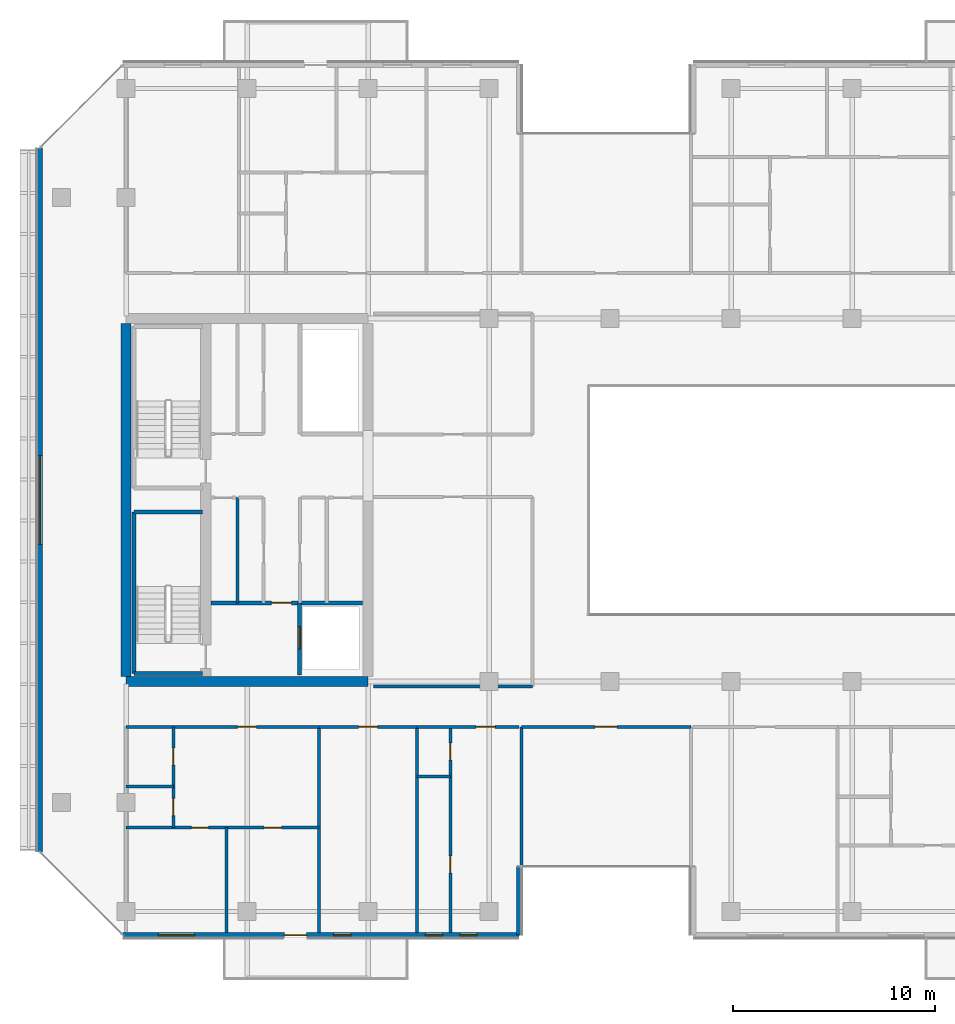
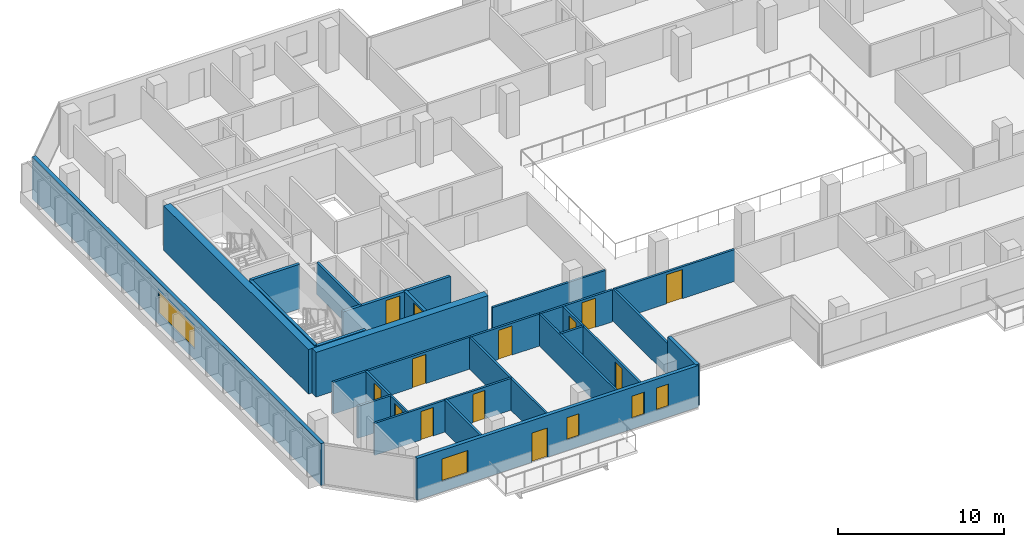
# One storey, part 19 of 29: 25 walls, 13 doors, 5 windows, 18 openings.
"""IFC4 building model written with IfcOpenShell, lengths in metres."""

from ifc_helpers import new_model, si_unit, direction, frame, frame_2d, origin, place, context, subcontext, project, spatial, rectangle, extrude, material, layer, layer_set, type_object, element, fill, save


model = new_model("IFC4")

# Units and contexts
model_context = context("Model", 3, precision=1e-05, world=origin(), true_north=direction((0.0, 1.0)))
body_context = subcontext(model_context, "Body", "Model", "MODEL_VIEW")
ifc_project = project(units=[si_unit("LENGTHUNIT", "METRE"), si_unit("AREAUNIT", "SQUARE_METRE"), si_unit("VOLUMEUNIT", "CUBIC_METRE"), si_unit("PLANEANGLEUNIT", "RADIAN"), si_unit("MASSUNIT", "GRAM", prefix="KILO")], contexts=[model_context])

# Site, building, storey
site_placement = place(None, origin())
site = spatial("IfcSite", under=ifc_project, at=site_placement, CompositionType="ELEMENT")
building_placement = place(site_placement, origin())
building = spatial("IfcBuilding", under=site, at=building_placement, Name="Tanjung Sevakor Pilgrim Tower", CompositionType="ELEMENT")
storey_placement = place(building_placement, frame((0.0, 0.0, 148.5)))
storey = spatial("IfcBuildingStorey", under=building, at=storey_placement, Name="L41", CompositionType="ELEMENT", Elevation=148.5)

# Walls
ifc_material_1 = material(Name="Concrete C60/75", Category="concrete")
ifc_layer_1 = layer(ifc_material_1, 0.5)
ifc_layer_set_1 = layer_set([ifc_layer_1], Name="WALL-CW-500")
wall_type_1 = type_object("IfcWallType", Name="WALL-CW-500", PredefinedType="SHEAR", material=ifc_layer_set_1)
wall_1_placement = place(storey_placement, frame((24.0, 24.60009765625, 0.0), z_axis=(0.0, 0.0, 1.0), x_axis=(1.0, 0.0, 0.0)))
element("IfcWall", 1, at=wall_1_placement, inside=storey, type_object=wall_type_1, Name="L41 W Core South Shear Wall", PredefinedType="SHEAR", context=body_context, shape_type="SweptSolid", body=[
    extrude(rectangle(XDim=12.0, YDim=0.5, at=frame_2d((6.0, 0.0))), origin(), (0.0, 0.0, 1.0), 3.300048828125),
])
wall_2_placement = place(storey_placement, frame((24.0, 24.85009765625, 0.0), z_axis=(0.0, 0.0, 1.0), x_axis=(0.0, 1.0, 0.0)))
element("IfcWall", 2, at=wall_2_placement, inside=storey, type_object=wall_type_1, Name="L41 W Core Outer Shear Wall", PredefinedType="SHEAR", context=body_context, shape_type="SweptSolid", body=[
    extrude(rectangle(XDim=17.5, YDim=0.5, at=frame_2d((8.75, 0.0))), origin(), (0.0, 0.0, 1.0), 3.300048828125),
])
ifc_material_2 = material(Name="Concrete C40/50", Category="concrete")
ifc_layer_2 = layer(ifc_material_2, 0.14990234375)
ifc_layer_set_2 = layer_set([ifc_layer_2], Name="WT-COMP-150")
wall_type_2 = type_object("IfcWallType", Name="WT-COMP-150", PredefinedType="SOLIDWALL", material=ifc_layer_set_2)
wall_3_placement = place(storey_placement, frame((29.52001953125, 28.5, 0.0), z_axis=(0.0, 0.0, 1.0), x_axis=(0.0, 1.0, 0.0)))
element("IfcWall", 3, at=wall_3_placement, inside=storey, type_object=wall_type_2, Name="L41 Partition IW-L41-003", PredefinedType="SOLIDWALL", context=body_context, shape_type="SweptSolid", body=[
    extrude(rectangle(XDim=5.219970703125, YDim=0.14990234375, at=frame_2d((2.60986328125, 0.0))), origin(), (0.0, 0.0, 1.0), 2.35009765625),
])
wall_4_placement = place(storey_placement, frame((36.27001953125, 24.35009765625, 0.0), z_axis=(0.0, 0.0, 1.0), x_axis=(1.0, 0.0, 0.0)))
element("IfcWall", 4, at=wall_4_placement, inside=storey, type_object=wall_type_2, Name="L41 Partition IW-L41-033", PredefinedType="SOLIDWALL", context=body_context, shape_type="SweptSolid", body=[
    extrude(rectangle(XDim=7.8798828125, YDim=0.14990234375, at=frame_2d((3.93994140625, 0.0))), origin(), (0.0, 0.0, 1.0), 2.35009765625),
])

# Wall, opening, door
wall_5_placement = place(storey_placement, frame((43.60009765625, 22.35009765625, 0.0), z_axis=(0.0, 0.0, 1.0), x_axis=(1.0, 0.0, 0.0)))
wall_5 = element("IfcWall", 5, at=wall_5_placement, inside=storey, type_object=wall_type_2, Name="L41 Partition IW-L41-045", PredefinedType="SOLIDWALL", context=body_context, shape_type="SweptSolid", body=[
    extrude(rectangle(XDim=8.39990234375, YDim=0.14990234375, at=frame_2d((4.199951171875, 0.0))), origin(), (0.0, 0.0, 1.0), 2.35009765625),
])
opening_1_placement = place(wall_5_placement, frame((3.64990234375, 0.0, 0.0)))
opening_1 = element("IfcOpeningElement", 6, at=opening_1_placement, cuts=wall_5, Name="Opening ID-RM2", PredefinedType="OPENING", context=body_context, shape_type="SweptSolid", body=[
    extrude(rectangle(XDim=1.10009765625, YDim=2.14990234375, at=frame_2d((0.550048828125, 1.074951171875))), frame((0.0, 0.0849609375, 0.0), z_axis=(0.0, -1.0, 0.0), x_axis=(1.0, 0.0, 0.0)), (0.0, 0.0, 1.0), 0.169921875),
])
ifc_material_3 = material(Name="Hardwood Timber", Category="wood")
door_type_1 = type_object("IfcDoorType", Name="DT-INT-1100", OperationType="NOTDEFINED", PredefinedType="DOOR", material=ifc_material_3)
door_1_placement = place(opening_1_placement, origin())
door_1 = element("IfcDoor", 7, at=door_1_placement, inside=storey, type_object=door_type_1, Name="L41 South Cleft Observatory Door", OperationType="SINGLE_SWING_RIGHT", OverallHeight=2.14990234375, OverallWidth=1.10009765625, PredefinedType="DOOR", context=body_context, shape_type="SweptSolid", body=[
    extrude(rectangle(XDim=1.10009765625, YDim=2.14990234375, at=frame_2d((0.550048828125, 1.074951171875))), frame((0.0, 0.02490234375, 0.0), z_axis=(0.0, -1.0, 0.0), x_axis=(1.0, 0.0, 0.0)), (0.0, 0.0, 1.0), 0.050048828125),
])
fill(opening_1, door_1)

# Walls
for number, where, z_axis, x_axis, name in (
    (8, (43.60009765625, 12.14990234375, 0.0), (0.0, 0.0, 1.0), (0.0, 1.0, 0.0), "L41 Partition IW-L41-046"),
    (9, (33.566162109375, 12.14990234375, 0.0), (0.0, 0.0, 1.0), (0.0, 1.0, 0.0), "L41 Partition IW-L41-052"),
):
    element("IfcWall", number, at=place(storey_placement, frame(where, z_axis=z_axis, x_axis=x_axis)), inside=storey, type_object=wall_type_2, Name=name, PredefinedType="SOLIDWALL", context=body_context, shape_type="SweptSolid", body=[
        extrude(rectangle(XDim=10.2001953125, YDim=0.14990234375, at=frame_2d((5.10009765625, 0.0))), origin(), (0.0, 0.0, 1.0), 2.35009765625),
    ])

# Wall, opening, door
wall_6_placement = place(storey_placement, frame((24.0, 22.35009765625, 0.0), z_axis=(0.0, 0.0, 1.0), x_axis=(1.0, 0.0, 0.0)))
wall_6 = element("IfcWall", 10, at=wall_6_placement, inside=storey, type_object=wall_type_2, Name="L41 Partition IW-L41-057", PredefinedType="SOLIDWALL", context=body_context, shape_type="SweptSolid", body=[
    extrude(rectangle(XDim=9.566162109375, YDim=0.14990234375, at=frame_2d((4.783203125, 0.0))), origin(), (0.0, 0.0, 1.0), 2.35009765625),
])
opening_2_placement = place(wall_6_placement, frame((5.523193359375, 0.0, 0.0)))
opening_2 = element("IfcOpeningElement", 11, at=opening_2_placement, cuts=wall_6, Name="Opening ID-FD2", PredefinedType="OPENING", context=body_context, shape_type="SweptSolid", body=[
    extrude(rectangle(XDim=0.949951171875, YDim=2.14990234375, at=frame_2d((0.47509765625, 1.074951171875))), frame((0.0, 0.0849609375, 0.0), z_axis=(0.0, -1.0, 0.0), x_axis=(1.0, 0.0, 0.0)), (0.0, 0.0, 1.0), 0.169921875),
])
ifc_material_4 = material(Name="Fire-Rated Timber", Category="wood")
door_type_2 = type_object("IfcDoorType", Name="DT-FIRE-950", OperationType="NOTDEFINED", PredefinedType="DOOR", material=ifc_material_4)
door_2_placement = place(opening_2_placement, origin())
door_2 = element("IfcDoor", 12, at=door_2_placement, inside=storey, type_object=door_type_2, Name="Suite Entrance", OperationType="SINGLE_SWING_RIGHT", OverallHeight=2.14990234375, OverallWidth=0.949951171875, PredefinedType="DOOR", context=body_context, shape_type="SweptSolid", body=[
    extrude(rectangle(XDim=0.949951171875, YDim=2.14990234375, at=frame_2d((0.47509765625, 1.074951171875))), frame((0.0, 0.02490234375, 0.0), z_axis=(0.0, -1.0, 0.0), x_axis=(1.0, 0.0, 0.0)), (0.0, 0.0, 1.0), 0.050048828125),
])
fill(opening_2, door_2)

# Wall
wall_7_placement = place(storey_placement, frame((38.43603515625, 12.14990234375, 0.0), z_axis=(0.0, 0.0, 1.0), x_axis=(0.0, 1.0, 0.0)))
element("IfcWall", 13, at=wall_7_placement, inside=storey, type_object=wall_type_2, Name="L41 Partition IW-L41-058", PredefinedType="SOLIDWALL", context=body_context, shape_type="SweptSolid", body=[
    extrude(rectangle(XDim=10.2001953125, YDim=0.14990234375, at=frame_2d((5.10009765625, 0.0))), origin(), (0.0, 0.0, 1.0), 2.35009765625),
])

# Wall, opening, door
wall_8_placement = place(storey_placement, frame((33.566162109375, 22.35009765625, 0.0), z_axis=(0.0, 0.0, 1.0), x_axis=(1.0, 0.0, 0.0)))
wall_8 = element("IfcWall", 14, at=wall_8_placement, inside=storey, type_object=wall_type_2, Name="L41 Partition IW-L41-059", PredefinedType="SOLIDWALL", context=body_context, shape_type="SweptSolid", body=[
    extrude(rectangle(XDim=4.869873046875, YDim=0.14990234375, at=frame_2d((2.43505859375, 0.0))), origin(), (0.0, 0.0, 1.0), 2.35009765625),
])
opening_3_placement = place(wall_8_placement, frame((1.9599609375, 0.0, 0.0)))
opening_3 = element("IfcOpeningElement", 15, at=opening_3_placement, cuts=wall_8, Name="Opening ID-FD2", PredefinedType="OPENING", context=body_context, shape_type="SweptSolid", body=[
    extrude(rectangle(XDim=0.949951171875, YDim=2.14990234375, at=frame_2d((0.47509765625, 1.074951171875))), frame((0.0, 0.0849609375, 0.0), z_axis=(0.0, -1.0, 0.0), x_axis=(1.0, 0.0, 0.0)), (0.0, 0.0, 1.0), 0.169921875),
])
door_3_placement = place(opening_3_placement, origin())
door_3 = element("IfcDoor", 16, at=door_3_placement, inside=storey, type_object=door_type_2, Name="Study Room Entrance", OperationType="SINGLE_SWING_LEFT", OverallHeight=2.14990234375, OverallWidth=0.949951171875, PredefinedType="DOOR", context=body_context, shape_type="SweptSolid", body=[
    extrude(rectangle(XDim=0.949951171875, YDim=2.14990234375, at=frame_2d((0.47509765625, 1.074951171875))), frame((0.0, 0.02490234375, 0.0), z_axis=(0.0, -1.0, 0.0), x_axis=(1.0, 0.0, 0.0)), (0.0, 0.0, 1.0), 0.050048828125),
])
fill(opening_3, door_3)

wall_9_placement = place(storey_placement, frame((38.43603515625, 22.35009765625, 0.0), z_axis=(0.0, 0.0, 1.0), x_axis=(1.0, 0.0, 0.0)))
wall_9 = element("IfcWall", 17, at=wall_9_placement, inside=storey, type_object=wall_type_2, Name="L41 Partition IW-L41-062", PredefinedType="SOLIDWALL", context=body_context, shape_type="SweptSolid", body=[
    extrude(rectangle(XDim=5.0439453125, YDim=0.14990234375, at=frame_2d((2.52197265625, 0.0))), origin(), (0.0, 0.0, 1.0), 2.35009765625),
])
opening_4_placement = place(wall_9_placement, frame((2.908935546875, 0.0, 0.0)))
opening_4 = element("IfcOpeningElement", 18, at=opening_4_placement, cuts=wall_9, Name="Opening ID-FD2", PredefinedType="OPENING", context=body_context, shape_type="SweptSolid", body=[
    extrude(rectangle(XDim=0.949951171875, YDim=2.14990234375, at=frame_2d((0.47509765625, 1.074951171875))), frame((0.0, 0.0849609375, 0.0), z_axis=(0.0, -1.0, 0.0), x_axis=(1.0, 0.0, 0.0)), (0.0, 0.0, 1.0), 0.169921875),
])
door_4_placement = place(opening_4_placement, origin())
door_4 = element("IfcDoor", 19, at=door_4_placement, inside=storey, type_object=door_type_2, Name="Hostel Quad Entrance", OperationType="SINGLE_SWING_RIGHT", OverallHeight=2.14990234375, OverallWidth=0.949951171875, PredefinedType="DOOR", context=body_context, shape_type="SweptSolid", body=[
    extrude(rectangle(XDim=0.949951171875, YDim=2.14990234375, at=frame_2d((0.47509765625, 1.074951171875))), frame((0.0, 0.02490234375, 0.0), z_axis=(0.0, -1.0, 0.0), x_axis=(1.0, 0.0, 0.0)), (0.0, 0.0, 1.0), 0.050048828125),
])
fill(opening_4, door_4)

# Wall, openings, door, windows
ifc_material_5 = material(Name="Precast concrete C45/55", Category="concrete")
ifc_layer_3 = layer(ifc_material_5, 0.25)
ifc_layer_set_3 = layer_set([ifc_layer_3], Name="WT-EW-STN3")
wall_type_3 = type_object("IfcWallType", Name="WT-EW-STN3", PredefinedType="SOLIDWALL", material=ifc_layer_set_3)
wall_10_placement = place(storey_placement, frame((23.851806640625, 12.02490234375, 0.0), z_axis=(0.0, 0.0, 1.0), x_axis=(1.0, 0.0, 0.0)))
wall_10 = element("IfcWall", 20, at=wall_10_placement, inside=storey, type_object=wall_type_3, Name="L41 MAIN Exterior Wall 1", PredefinedType="SOLIDWALL", context=body_context, shape_type="SweptSolid", body=[
    extrude(rectangle(XDim=19.623291015625, YDim=0.25, at=frame_2d((9.8115234375, 0.0))), origin(), (0.0, 0.0, 1.0), 3.080078125),
])
opening_5_placement = place(wall_10_placement, frame((7.998291015625, 0.0, 0.0)))
opening_5 = element("IfcOpeningElement", 21, at=opening_5_placement, cuts=wall_10, Name="Opening ED-BAL-1100", PredefinedType="OPENING", context=body_context, shape_type="SweptSolid", body=[
    extrude(rectangle(XDim=1.10009765625, YDim=2.14990234375, at=frame_2d((0.550048828125, 1.074951171875))), frame((0.0, 0.135009765625, 0.0), z_axis=(0.0, -1.0, 0.0), x_axis=(1.0, 0.0, 0.0)), (0.0, 0.0, 1.0), 0.27001953125),
])
opening_6_placement = place(wall_10_placement, frame((1.745361328125, 0.0, 0.780029296875)))
opening_6 = element("IfcOpeningElement", 22, at=opening_6_placement, cuts=wall_10, Name="Opening WN-Z3-1660", PredefinedType="OPENING", context=body_context, shape_type="SweptSolid", body=[
    extrude(rectangle(XDim=1.800048828125, YDim=1.659912109375, at=frame_2d((0.89990234375, 0.830078125))), frame((0.0, 0.135009765625, 0.0), z_axis=(0.0, -1.0, 0.0), x_axis=(1.0, 0.0, 0.0)), (0.0, 0.0, 1.0), 0.27001953125),
])
opening_7_placement = place(wall_10_placement, frame((10.4443359375, 0.0, 0.780029296875)))
opening_7 = element("IfcOpeningElement", 23, at=opening_7_placement, cuts=wall_10, Name="Opening WN-SLM", PredefinedType="OPENING", context=body_context, shape_type="SweptSolid", body=[
    extrude(rectangle(XDim=0.85009765625, YDim=1.64990234375, at=frame_2d((0.425048828125, 0.824951171875))), frame((0.0, 0.135009765625, 0.0), z_axis=(0.0, -1.0, 0.0), x_axis=(1.0, 0.0, 0.0)), (0.0, 0.0, 1.0), 0.27001953125),
])
opening_8_placement = place(wall_10_placement, frame((14.9912109375, 0.0, 0.780029296875)))
opening_8 = element("IfcOpeningElement", 24, at=opening_8_placement, cuts=wall_10, Name="Opening WN-SLM", PredefinedType="OPENING", context=body_context, shape_type="SweptSolid", body=[
    extrude(rectangle(XDim=0.85009765625, YDim=1.64990234375, at=frame_2d((0.425048828125, 0.824951171875))), frame((0.0, 0.135009765625, 0.0), z_axis=(0.0, -1.0, 0.0), x_axis=(1.0, 0.0, 0.0)), (0.0, 0.0, 1.0), 0.27001953125),
])
opening_9_placement = place(wall_10_placement, frame((16.693115234375, 0.0, 0.780029296875)))
opening_9 = element("IfcOpeningElement", 25, at=opening_9_placement, cuts=wall_10, Name="Opening WN-SLM", PredefinedType="OPENING", context=body_context, shape_type="SweptSolid", body=[
    extrude(rectangle(XDim=0.85009765625, YDim=1.64990234375, at=frame_2d((0.425048828125, 0.824951171875))), frame((0.0, 0.135009765625, 0.0), z_axis=(0.0, -1.0, 0.0), x_axis=(1.0, 0.0, 0.0)), (0.0, 0.0, 1.0), 0.27001953125),
])
ifc_material_6 = material(Name="Anodised Aluminium and Laminated Glass", Category="aluminium")
door_type_3 = type_object("IfcDoorType", Name="DTYP-ED-BAL-1100", OperationType="NOTDEFINED", PredefinedType="DOOR", material=ifc_material_6)
door_5_placement = place(opening_5_placement, frame((1.10009765625, 0.0, 0.0), z_axis=(0.0, 0.0, 1.0), x_axis=(-1.0, 0.0, 0.0)))
door_5 = element("IfcDoor", 26, at=door_5_placement, inside=storey, type_object=door_type_3, Name="L41 Balcony Door MAIN-S1", OperationType="SINGLE_SWING_RIGHT", OverallHeight=2.14990234375, OverallWidth=1.10009765625, PredefinedType="DOOR", context=body_context, shape_type="SweptSolid", body=[
    extrude(rectangle(XDim=1.10009765625, YDim=2.14990234375, at=frame_2d((0.550048828125, 1.074951171875))), frame((0.0, 0.02490234375, 0.0), z_axis=(0.0, -1.0, 0.0), x_axis=(1.0, 0.0, 0.0)), (0.0, 0.0, 1.0), 0.050048828125),
])
fill(opening_5, door_5)
ifc_material_7 = material(Name="Thermally Broken Aluminium and Low-E Glass", Category="aluminium")
window_type_1 = type_object("IfcWindowType", Name="WTYP-WN-SLM", PartitioningType="SINGLE_PANEL", PredefinedType="WINDOW", material=ifc_material_7)
window_1_placement = place(opening_7_placement, origin())
window_1 = element("IfcWindow", 27, at=window_1_placement, inside=storey, type_object=window_type_1, Name="L41 Facade Window 02", OverallHeight=1.64990234375, OverallWidth=0.85009765625, PartitioningType="SINGLE_PANEL", PredefinedType="WINDOW", context=body_context, shape_type="SweptSolid", body=[
    extrude(rectangle(XDim=0.85009765625, YDim=1.64990234375, at=frame_2d((0.425048828125, 0.824951171875))), frame((0.0, 0.030029296875, 0.0), z_axis=(0.0, -1.0, 0.0), x_axis=(1.0, 0.0, 0.0)), (0.0, 0.0, 1.0), 0.06005859375),
])
fill(opening_7, window_1)
window_2_placement = place(opening_8_placement, origin())
window_2 = element("IfcWindow", 28, at=window_2_placement, inside=storey, type_object=window_type_1, Name="L41 Facade Window 03", OverallHeight=1.64990234375, OverallWidth=0.85009765625, PartitioningType="SINGLE_PANEL", PredefinedType="WINDOW", context=body_context, shape_type="SweptSolid", body=[
    extrude(rectangle(XDim=0.85009765625, YDim=1.64990234375, at=frame_2d((0.425048828125, 0.824951171875))), frame((0.0, 0.030029296875, 0.0), z_axis=(0.0, -1.0, 0.0), x_axis=(1.0, 0.0, 0.0)), (0.0, 0.0, 1.0), 0.06005859375),
])
fill(opening_8, window_2)
window_3_placement = place(opening_9_placement, origin())
window_3 = element("IfcWindow", 29, at=window_3_placement, inside=storey, type_object=window_type_1, Name="L41 Facade Window 04", OverallHeight=1.64990234375, OverallWidth=0.85009765625, PartitioningType="SINGLE_PANEL", PredefinedType="WINDOW", context=body_context, shape_type="SweptSolid", body=[
    extrude(rectangle(XDim=0.85009765625, YDim=1.64990234375, at=frame_2d((0.425048828125, 0.824951171875))), frame((0.0, 0.030029296875, 0.0), z_axis=(0.0, -1.0, 0.0), x_axis=(1.0, 0.0, 0.0)), (0.0, 0.0, 1.0), 0.06005859375),
])
fill(opening_9, window_3)
ifc_material_8 = material(Name="Thermally Broken Aluminium and Low-E Glass", Category="aluminium")
window_type_2 = type_object("IfcWindowType", Name="WTYP-WN-Z3-1660", PartitioningType="DOUBLE_PANEL_VERTICAL", PredefinedType="WINDOW", material=ifc_material_8)
window_4_placement = place(opening_6_placement, origin())
window_4 = element("IfcWindow", 30, at=window_4_placement, inside=storey, type_object=window_type_2, Name="L41 Facade Window 01", OverallHeight=1.659912109375, OverallWidth=1.800048828125, PartitioningType="SINGLE_PANEL", PredefinedType="WINDOW", context=body_context, shape_type="SweptSolid", body=[
    extrude(rectangle(XDim=1.800048828125, YDim=1.659912109375, at=frame_2d((0.89990234375, 0.830078125))), frame((0.0, 0.030029296875, 0.0), z_axis=(0.0, -1.0, 0.0), x_axis=(1.0, 0.0, 0.0)), (0.0, 0.0, 1.0), 0.06005859375),
])
fill(opening_6, window_4)

# Wall
wall_11_placement = place(storey_placement, frame((43.47509765625, 12.02490234375, 0.0), z_axis=(0.0, 0.0, 1.0), x_axis=(0.0, 1.0, 0.0)))
element("IfcWall", 31, at=wall_11_placement, inside=storey, type_object=wall_type_3, Name="L41 MAIN Exterior Wall 2", PredefinedType="SOLIDWALL", context=body_context, shape_type="SweptSolid", body=[
    extrude(rectangle(XDim=3.400146484375, YDim=0.25, at=frame_2d((1.7001953125, 0.0))), origin(), (0.0, 0.0, 1.0), 3.080078125),
])

# Wall, opening, window
wall_12_placement = place(storey_placement, frame((19.72509765625, 51.048095703125, 0.0), z_axis=(0.0, 0.0, 1.0), x_axis=(0.0, -1.0, 0.0)))
wall_12 = element("IfcWall", 32, at=wall_12_placement, inside=storey, type_object=wall_type_3, Name="L41 MAIN Exterior Wall 15", PredefinedType="SOLIDWALL", context=body_context, shape_type="SweptSolid", body=[
    extrude(rectangle(XDim=34.896240234375, YDim=0.25, at=frame_2d((17.4482421875, 0.0))), origin(), (0.0, 0.0, 1.0), 3.080078125),
])
opening_10_placement = place(wall_12_placement, frame((15.248291015625, 0.0, 0.780029296875)))
opening_10 = element("IfcOpeningElement", 33, at=opening_10_placement, cuts=wall_12, Name="Opening WN-ENDW-1660", PredefinedType="OPENING", context=body_context, shape_type="SweptSolid", body=[
    extrude(rectangle(XDim=4.39990234375, YDim=1.659912109375, at=frame_2d((2.199951171875, 0.830078125))), frame((0.0, 0.135009765625, 0.0), z_axis=(0.0, -1.0, 0.0), x_axis=(1.0, 0.0, 0.0)), (0.0, 0.0, 1.0), 0.27001953125),
])
ifc_material_9 = material(Name="Thermally Broken Aluminium and Low-E Glass", Category="aluminium")
window_type_3 = type_object("IfcWindowType", Name="WTYP-WN-ENDW-1660", PartitioningType="DOUBLE_PANEL_VERTICAL", PredefinedType="WINDOW", material=ifc_material_9)
window_5_placement = place(opening_10_placement, origin())
window_5 = element("IfcWindow", 34, at=window_5_placement, inside=storey, type_object=window_type_3, Name="L41 Facade Window 01", OverallHeight=1.659912109375, OverallWidth=4.39990234375, PartitioningType="SINGLE_PANEL", PredefinedType="WINDOW", context=body_context, shape_type="SweptSolid", body=[
    extrude(rectangle(XDim=4.39990234375, YDim=1.659912109375, at=frame_2d((2.199951171875, 0.830078125))), frame((0.0, 0.030029296875, 0.0), z_axis=(0.0, -1.0, 0.0), x_axis=(1.0, 0.0, 0.0)), (0.0, 0.0, 1.0), 0.06005859375),
])
fill(opening_10, window_5)

# Walls
ifc_material_10 = material(Name="Concrete C40/50", Category="concrete")
ifc_layer_4 = layer(ifc_material_10, 0.199951171875)
ifc_layer_set_4 = layer_set([ifc_layer_4], Name="WT-FIRE-200")
wall_type_4 = type_object("IfcWallType", Name="WT-FIRE-200", PredefinedType="SOLIDWALL", material=ifc_layer_set_4)
for number, where, z_axis, x_axis, name in (
    (35, (24.39990234375, 25.0, 0.0), (0.0, 0.0, 1.0), (1.0, 0.0, 0.0), "L41 TS-W1 Shaft Wall 1"),
    (36, (27.800048828125, 33.0, 0.0), (0.0, 0.0, 1.0), (-1.0, 0.0, 0.0), "L41 TS-W1 Shaft Wall 2"),
):
    element("IfcWall", number, at=place(storey_placement, frame(where, z_axis=z_axis, x_axis=x_axis)), inside=storey, type_object=wall_type_4, Name=name, PredefinedType="SOLIDWALL", context=body_context, shape_type="SweptSolid", body=[
        extrude(rectangle(XDim=3.400146484375, YDim=0.199951171875, at=frame_2d((1.7001953125, 0.0))), origin(), (0.0, 0.0, 1.0), 3.300048828125),
    ])
wall_13_placement = place(storey_placement, frame((24.39990234375, 33.0, 0.0), z_axis=(0.0, 0.0, 1.0), x_axis=(0.0, -1.0, 0.0)))
element("IfcWall", 37, at=wall_13_placement, inside=storey, type_object=wall_type_4, Name="L41 TS-W1 Shaft Wall 3", PredefinedType="SOLIDWALL", context=body_context, shape_type="SweptSolid", body=[
    extrude(rectangle(XDim=8.0, YDim=0.199951171875, at=frame_2d((4.0, 0.0))), origin(), (0.0, 0.0, 1.0), 3.300048828125),
])

# Wall, opening, door
ifc_material_11 = material(Name="Concrete C40/50", Category="concrete")
ifc_layer_5 = layer(ifc_material_11, 0.199951171875)
ifc_layer_set_5 = layer_set([ifc_layer_5], Name="WT-FPRT-200")
wall_type_5 = type_object("IfcWallType", Name="WT-FPRT-200", PredefinedType="SOLIDWALL", material=ifc_layer_set_5)
wall_14_placement = place(storey_placement, frame((32.60009765625, 24.919921875, 0.0), z_axis=(0.0, 0.0, 1.0), x_axis=(0.0, 1.0, 0.0)))
wall_14 = element("IfcWall", 38, at=wall_14_placement, inside=storey, type_object=wall_type_5, Name="L41 Partition IW-L41-001", PredefinedType="SOLIDWALL", context=body_context, shape_type="SweptSolid", body=[
    extrude(rectangle(XDim=3.580078125, YDim=0.199951171875, at=frame_2d((1.7900390625, 0.0))), origin(), (0.0, 0.0, 1.0), 2.35009765625),
])
opening_11_placement = place(wall_14_placement, frame((1.300048828125, 0.0, 0.0)))
opening_11 = element("IfcOpeningElement", 39, at=opening_11_placement, cuts=wall_14, Name="Opening LD-1100", PredefinedType="OPENING", context=body_context, shape_type="SweptSolid", body=[
    extrude(rectangle(XDim=1.10009765625, YDim=2.199951171875, at=frame_2d((0.550048828125, 1.10009765625))), frame((0.0, 0.10986328125, 0.0), z_axis=(0.0, -1.0, 0.0), x_axis=(1.0, 0.0, 0.0)), (0.0, 0.0, 1.0), 0.219970703125),
])
ifc_material_12 = material(Name="Brushed Stainless Steel S355J2", Category="steel")
door_type_4 = type_object("IfcDoorType", Name="DT-LIFT-1100", OperationType="SLIDING_TO_LEFT", PredefinedType="DOOR", material=ifc_material_12)
door_6_placement = place(opening_11_placement, origin())
door_6 = element("IfcDoor", 40, at=door_6_placement, inside=storey, type_object=door_type_4, Name="LD-FL-W", OperationType="SLIDING_TO_LEFT", OverallHeight=2.199951171875, OverallWidth=1.10009765625, PredefinedType="DOOR", context=body_context, shape_type="SweptSolid", body=[
    extrude(rectangle(XDim=1.10009765625, YDim=2.199951171875, at=frame_2d((0.550048828125, 1.10009765625))), frame((0.0, 0.02490234375, 0.0), z_axis=(0.0, -1.0, 0.0), x_axis=(1.0, 0.0, 0.0)), (0.0, 0.0, 1.0), 0.050048828125),
])
fill(opening_11, door_6)

wall_15_placement = place(storey_placement, frame((28.219970703125, 28.5, 0.0), z_axis=(0.0, 0.0, 1.0), x_axis=(1.0, 0.0, 0.0)))
wall_15 = element("IfcWall", 41, at=wall_15_placement, inside=storey, type_object=wall_type_5, Name="L41 Partition IW-L41-002", PredefinedType="SOLIDWALL", context=body_context, shape_type="SweptSolid", body=[
    extrude(rectangle(XDim=7.510009765625, YDim=0.199951171875, at=frame_2d((3.7548828125, 0.0))), origin(), (0.0, 0.0, 1.0), 2.35009765625),
])
opening_12_placement = place(wall_15_placement, frame((2.97998046875, 0.0, 0.0)))
opening_12 = element("IfcOpeningElement", 42, at=opening_12_placement, cuts=wall_15, Name="Opening ID-FD1", PredefinedType="OPENING", context=body_context, shape_type="SweptSolid", body=[
    extrude(rectangle(XDim=1.0, YDim=2.14990234375, at=frame_2d((0.5, 1.074951171875))), frame((0.0, 0.10986328125, 0.0), z_axis=(0.0, -1.0, 0.0), x_axis=(1.0, 0.0, 0.0)), (0.0, 0.0, 1.0), 0.219970703125),
])
ifc_material_13 = material(Name="Fire-Rated Steel S355J2", Category="steel")
door_type_5 = type_object("IfcDoorType", Name="DT-FIRE-1000", OperationType="NOTDEFINED", PredefinedType="DOOR", material=ifc_material_13)
door_7_placement = place(opening_12_placement, origin())
door_7 = element("IfcDoor", 43, at=door_7_placement, inside=storey, type_object=door_type_5, Name="Fire Lobby Door W", OperationType="SINGLE_SWING_LEFT", OverallHeight=2.14990234375, OverallWidth=1.0, PredefinedType="DOOR", context=body_context, shape_type="SweptSolid", body=[
    extrude(rectangle(XDim=1.0, YDim=2.14990234375, at=frame_2d((0.5, 1.074951171875))), frame((0.0, 0.02490234375, 0.0), z_axis=(0.0, -1.0, 0.0), x_axis=(1.0, 0.0, 0.0)), (0.0, 0.0, 1.0), 0.050048828125),
])
fill(opening_12, door_7)

# Wall
ifc_material_14 = material(Name="Gypsum Board Partition", Category="gypsum board")
ifc_layer_6 = layer(ifc_material_14, 0.14990234375)
ifc_layer_set_6 = layer_set([ifc_layer_6], Name="WT-PART-150")
wall_type_6 = type_object("IfcWallType", Name="WT-PART-150", PredefinedType="PARTITIONING", material=ifc_layer_set_6)
wall_16_placement = place(storey_placement, frame((24.0, 19.39990234375, 0.0), z_axis=(0.0, 0.0, 1.0), x_axis=(1.0, 0.0, 0.0)))
element("IfcWall", 44, at=wall_16_placement, inside=storey, type_object=wall_type_6, Name="L41 Partition IW-L41-053", PredefinedType="PARTITIONING", context=body_context, shape_type="SweptSolid", body=[
    extrude(rectangle(XDim=2.35009765625, YDim=0.14990234375, at=frame_2d((1.175048828125, 0.0))), origin(), (0.0, 0.0, 1.0), 2.35009765625),
])

# Wall, openings, doors
wall_17_placement = place(storey_placement, frame((26.35009765625, 17.35009765625, 0.0), z_axis=(0.0, 0.0, 1.0), x_axis=(0.0, 1.0, 0.0)))
wall_17 = element("IfcWall", 45, at=wall_17_placement, inside=storey, type_object=wall_type_6, Name="L41 Partition IW-L41-054", PredefinedType="PARTITIONING", context=body_context, shape_type="SweptSolid", body=[
    extrude(rectangle(XDim=5.0, YDim=0.14990234375, at=frame_2d((2.5, 0.0))), origin(), (0.0, 0.0, 1.0), 2.35009765625),
])
opening_13_placement = place(wall_17_placement, frame((0.60009765625, 0.0, 0.0)))
opening_13 = element("IfcOpeningElement", 46, at=opening_13_placement, cuts=wall_17, Name="Opening ID-WC1", PredefinedType="OPENING", context=body_context, shape_type="SweptSolid", body=[
    extrude(rectangle(XDim=0.85009765625, YDim=2.10009765625, at=frame_2d((0.425048828125, 1.050048828125))), frame((0.0, 0.0849609375, 0.0), z_axis=(0.0, -1.0, 0.0), x_axis=(1.0, 0.0, 0.0)), (0.0, 0.0, 1.0), 0.169921875),
])
opening_14_placement = place(wall_17_placement, frame((3.10009765625, 0.0, 0.0)))
opening_14 = element("IfcOpeningElement", 47, at=opening_14_placement, cuts=wall_17, Name="Opening ID-WC1", PredefinedType="OPENING", context=body_context, shape_type="SweptSolid", body=[
    extrude(rectangle(XDim=0.85009765625, YDim=2.10009765625, at=frame_2d((0.425048828125, 1.050048828125))), frame((0.0, 0.0849609375, 0.0), z_axis=(0.0, -1.0, 0.0), x_axis=(1.0, 0.0, 0.0)), (0.0, 0.0, 1.0), 0.169921875),
])
ifc_material_15 = material(Name="Moisture-Resistant Timber", Category="wood")
door_type_6 = type_object("IfcDoorType", Name="DT-INT-850", OperationType="NOTDEFINED", PredefinedType="DOOR", material=ifc_material_15)
door_8_placement = place(opening_13_placement, origin())
door_8 = element("IfcDoor", 48, at=door_8_placement, inside=storey, type_object=door_type_6, Name="Suite Bathroom Door", OperationType="SINGLE_SWING_RIGHT", OverallHeight=2.10009765625, OverallWidth=0.85009765625, PredefinedType="DOOR", context=body_context, shape_type="SweptSolid", body=[
    extrude(rectangle(XDim=0.85009765625, YDim=2.10009765625, at=frame_2d((0.425048828125, 1.050048828125))), frame((0.0, 0.02490234375, 0.0), z_axis=(0.0, -1.0, 0.0), x_axis=(1.0, 0.0, 0.0)), (0.0, 0.0, 1.0), 0.050048828125),
])
fill(opening_13, door_8)
door_9_placement = place(opening_14_placement, origin())
door_9 = element("IfcDoor", 49, at=door_9_placement, inside=storey, type_object=door_type_6, Name="Suite Kitchenette Door", OperationType="SINGLE_SWING_LEFT", OverallHeight=2.10009765625, OverallWidth=0.85009765625, PredefinedType="DOOR", context=body_context, shape_type="SweptSolid", body=[
    extrude(rectangle(XDim=0.85009765625, YDim=2.10009765625, at=frame_2d((0.425048828125, 1.050048828125))), frame((0.0, 0.02490234375, 0.0), z_axis=(0.0, -1.0, 0.0), x_axis=(1.0, 0.0, 0.0)), (0.0, 0.0, 1.0), 0.050048828125),
])
fill(opening_14, door_9)

# Wall
wall_18_placement = place(storey_placement, frame((28.974365234375, 12.14990234375, 0.0), z_axis=(0.0, 0.0, 1.0), x_axis=(0.0, 1.0, 0.0)))
element("IfcWall", 50, at=wall_18_placement, inside=storey, type_object=wall_type_6, Name="L41 Partition IW-L41-055", PredefinedType="PARTITIONING", context=body_context, shape_type="SweptSolid", body=[
    extrude(rectangle(XDim=5.2001953125, YDim=0.14990234375, at=frame_2d((2.60009765625, 0.0))), origin(), (0.0, 0.0, 1.0), 2.35009765625),
])

# Wall, openings, doors
wall_19_placement = place(storey_placement, frame((24.0, 17.35009765625, 0.0), z_axis=(0.0, 0.0, 1.0), x_axis=(1.0, 0.0, 0.0)))
wall_19 = element("IfcWall", 51, at=wall_19_placement, inside=storey, type_object=wall_type_6, Name="L41 Partition IW-L41-056", PredefinedType="PARTITIONING", context=body_context, shape_type="SweptSolid", body=[
    extrude(rectangle(XDim=9.566162109375, YDim=0.14990234375, at=frame_2d((4.783203125, 0.0))), origin(), (0.0, 0.0, 1.0), 2.35009765625),
])
opening_15_placement = place(wall_19_placement, frame((3.2373046875, 0.0, 0.0)))
opening_15 = element("IfcOpeningElement", 52, at=opening_15_placement, cuts=wall_19, Name="Opening ID-WC1", PredefinedType="OPENING", context=body_context, shape_type="SweptSolid", body=[
    extrude(rectangle(XDim=0.85009765625, YDim=2.10009765625, at=frame_2d((0.425048828125, 1.050048828125))), frame((0.0, 0.0849609375, 0.0), z_axis=(0.0, -1.0, 0.0), x_axis=(1.0, 0.0, 0.0)), (0.0, 0.0, 1.0), 0.169921875),
])
opening_16_placement = place(wall_19_placement, frame((6.84521484375, 0.0, 0.0)))
opening_16 = element("IfcOpeningElement", 53, at=opening_16_placement, cuts=wall_19, Name="Opening ID-WC1", PredefinedType="OPENING", context=body_context, shape_type="SweptSolid", body=[
    extrude(rectangle(XDim=0.85009765625, YDim=2.10009765625, at=frame_2d((0.425048828125, 1.050048828125))), frame((0.0, 0.0849609375, 0.0), z_axis=(0.0, -1.0, 0.0), x_axis=(1.0, 0.0, 0.0)), (0.0, 0.0, 1.0), 0.169921875),
])
door_10_placement = place(opening_15_placement, origin())
door_10 = element("IfcDoor", 54, at=door_10_placement, inside=storey, type_object=door_type_6, Name="Suite Bedroom 1 Door", OperationType="SINGLE_SWING_RIGHT", OverallHeight=2.10009765625, OverallWidth=0.85009765625, PredefinedType="DOOR", context=body_context, shape_type="SweptSolid", body=[
    extrude(rectangle(XDim=0.85009765625, YDim=2.10009765625, at=frame_2d((0.425048828125, 1.050048828125))), frame((0.0, 0.02490234375, 0.0), z_axis=(0.0, -1.0, 0.0), x_axis=(1.0, 0.0, 0.0)), (0.0, 0.0, 1.0), 0.050048828125),
])
fill(opening_15, door_10)
door_11_placement = place(opening_16_placement, origin())
door_11 = element("IfcDoor", 55, at=door_11_placement, inside=storey, type_object=door_type_6, Name="Suite Bedroom 2 Door", OperationType="SINGLE_SWING_LEFT", OverallHeight=2.10009765625, OverallWidth=0.85009765625, PredefinedType="DOOR", context=body_context, shape_type="SweptSolid", body=[
    extrude(rectangle(XDim=0.85009765625, YDim=2.10009765625, at=frame_2d((0.425048828125, 1.050048828125))), frame((0.0, 0.02490234375, 0.0), z_axis=(0.0, -1.0, 0.0), x_axis=(1.0, 0.0, 0.0)), (0.0, 0.0, 1.0), 0.050048828125),
])
fill(opening_16, door_11)

# Wall
wall_20_placement = place(storey_placement, frame((38.43603515625, 19.89990234375, 0.0), z_axis=(0.0, 0.0, 1.0), x_axis=(1.0, 0.0, 0.0)))
element("IfcWall", 56, at=wall_20_placement, inside=storey, type_object=wall_type_6, Name="L41 Partition IW-L41-060", PredefinedType="PARTITIONING", context=body_context, shape_type="SweptSolid", body=[
    extrude(rectangle(XDim=1.64404296875, YDim=0.14990234375, at=frame_2d((0.822021484375, 0.0))), origin(), (0.0, 0.0, 1.0), 2.35009765625),
])

# Wall, openings, doors
wall_21_placement = place(storey_placement, frame((40.080078125, 12.14990234375, 0.0), z_axis=(0.0, 0.0, 1.0), x_axis=(0.0, 1.0, 0.0)))
wall_21 = element("IfcWall", 57, at=wall_21_placement, inside=storey, type_object=wall_type_6, Name="L41 Partition IW-L41-061", PredefinedType="PARTITIONING", context=body_context, shape_type="SweptSolid", body=[
    extrude(rectangle(XDim=10.2001953125, YDim=0.14990234375, at=frame_2d((5.10009765625, 0.0))), origin(), (0.0, 0.0, 1.0), 2.35009765625),
])
opening_17_placement = place(wall_21_placement, frame((2.9599609375, 0.0, 0.0)))
opening_17 = element("IfcOpeningElement", 58, at=opening_17_placement, cuts=wall_21, Name="Opening ID-WC1", PredefinedType="OPENING", context=body_context, shape_type="SweptSolid", body=[
    extrude(rectangle(XDim=0.85009765625, YDim=2.10009765625, at=frame_2d((0.425048828125, 1.050048828125))), frame((0.0, 0.0849609375, 0.0), z_axis=(0.0, -1.0, 0.0), x_axis=(1.0, 0.0, 0.0)), (0.0, 0.0, 1.0), 0.169921875),
])
opening_18_placement = place(wall_21_placement, frame((8.550048828125, 0.0, 0.0)))
opening_18 = element("IfcOpeningElement", 59, at=opening_18_placement, cuts=wall_21, Name="Opening ID-WC1", PredefinedType="OPENING", context=body_context, shape_type="SweptSolid", body=[
    extrude(rectangle(XDim=0.85009765625, YDim=2.10009765625, at=frame_2d((0.425048828125, 1.050048828125))), frame((0.0, 0.0849609375, 0.0), z_axis=(0.0, -1.0, 0.0), x_axis=(1.0, 0.0, 0.0)), (0.0, 0.0, 1.0), 0.169921875),
])
door_12_placement = place(opening_17_placement, origin())
door_12 = element("IfcDoor", 60, at=door_12_placement, inside=storey, type_object=door_type_6, Name="Study Nook Door", OperationType="SINGLE_SWING_RIGHT", OverallHeight=2.10009765625, OverallWidth=0.85009765625, PredefinedType="DOOR", context=body_context, shape_type="SweptSolid", body=[
    extrude(rectangle(XDim=0.85009765625, YDim=2.10009765625, at=frame_2d((0.425048828125, 1.050048828125))), frame((0.0, 0.02490234375, 0.0), z_axis=(0.0, -1.0, 0.0), x_axis=(1.0, 0.0, 0.0)), (0.0, 0.0, 1.0), 0.050048828125),
])
fill(opening_17, door_12)
door_13_placement = place(opening_18_placement, origin())
door_13 = element("IfcDoor", 61, at=door_13_placement, inside=storey, type_object=door_type_6, Name="Bathroom Door", OperationType="SINGLE_SWING_LEFT", OverallHeight=2.10009765625, OverallWidth=0.85009765625, PredefinedType="DOOR", context=body_context, shape_type="SweptSolid", body=[
    extrude(rectangle(XDim=0.85009765625, YDim=2.10009765625, at=frame_2d((0.425048828125, 1.050048828125))), frame((0.0, 0.02490234375, 0.0), z_axis=(0.0, -1.0, 0.0), x_axis=(1.0, 0.0, 0.0)), (0.0, 0.0, 1.0), 0.050048828125),
])
fill(opening_18, door_13)

save(model, "model.ifc")
